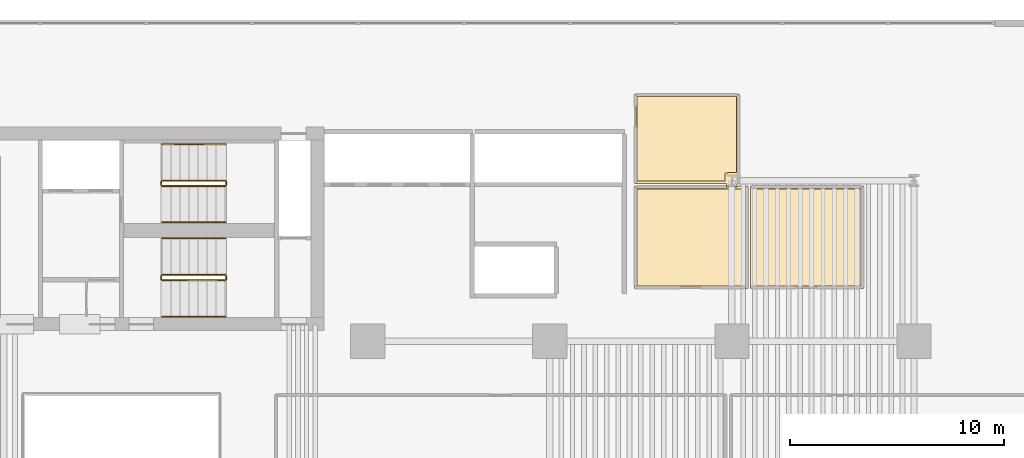
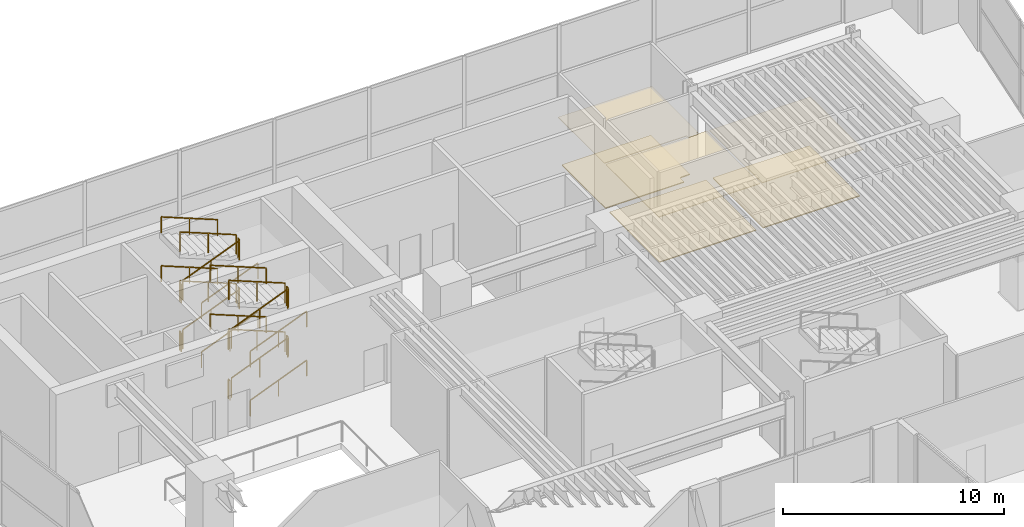
# One storey, part 16 of 16: 24 railings, 6 coverings.
"""IFC4 building model written with IfcOpenShell, lengths in metres."""

from ifc_helpers import new_model, si_unit, direction, frame, origin, origin_2d, place, context, subcontext, project, spatial, polyline, rectangle, outline, extrude, material, layer, layer_set, type_object, element, save


model = new_model("IFC4")

# Units and contexts
model_context = context("Model", 3, precision=1e-05, world=origin(), true_north=direction((0.0, 1.0)))
body_context = subcontext(model_context, "Body", "Model", "MODEL_VIEW")
ifc_project = project(units=[si_unit("LENGTHUNIT", "METRE"), si_unit("AREAUNIT", "SQUARE_METRE"), si_unit("VOLUMEUNIT", "CUBIC_METRE"), si_unit("PLANEANGLEUNIT", "RADIAN"), si_unit("MASSUNIT", "GRAM", prefix="KILO")], contexts=[model_context])

# Site, building, storey
site_placement = place(None, origin())
site = spatial("IfcSite", under=ifc_project, at=site_placement, CompositionType="ELEMENT")
building_placement = place(site_placement, origin())
building = spatial("IfcBuilding", under=site, at=building_placement, Name="Caeloran Harvest Quay", CompositionType="ELEMENT")
storey_placement = place(building_placement, frame((0.0, 0.0, 10.800048828125)))
storey = spatial("IfcBuildingStorey", under=building, at=storey_placement, Name="L03", CompositionType="ELEMENT", Elevation=10.800048828125)

# Coverings
ifc_material_1 = material(Name="Perforated Mineral-Fibre Acoustic Ceiling Tile", Category="ceiling")
ifc_layer_1 = layer(ifc_material_1, 0.0400390625, Name="Perforated Mineral-Fibre Acoustic Ceiling Tile")
ifc_layer_set_1 = layer_set([ifc_layer_1], Name="Perforated Mineral-Fibre Acoustic Ceiling Tile")
covering_type_1 = type_object("IfcCoveringType", Name="COV-CEILING-ACOUSTIC", PredefinedType="CEILING", material=ifc_layer_set_1)
covering_1_placement = place(storey_placement, frame((0.0, 0.0, 2.599853515625)))
element("IfcCovering", 1, at=covering_1_placement, inside=storey, type_object=covering_type_1, Name="L03 Public Male Washroom WC Acoustic Ceiling", PredefinedType="CEILING", context=body_context, shape_type="SweptSolid", body=[
    extrude(outline(polyline([(43.239990234375, 33.4599609375), (37.9599609375, 33.4599609375), (37.9599609375, 38.239990234375), (42.2529296875, 38.239990234375), (42.2529296875, 38.804443359375), (42.7470703125, 38.804443359375), (42.7470703125, 38.239990234375), (43.239990234375, 38.239990234375), (43.239990234375, 33.4599609375)])), origin(), (0.0, 0.0, 1.0), 0.0400390625),
])
covering_2_placement = place(storey_placement, frame((0.0, 0.0, 2.599853515625)))
element("IfcCovering", 2, at=covering_2_placement, inside=storey, type_object=covering_type_1, Name="L03 Public Female Washroom WC Acoustic Ceiling", PredefinedType="CEILING", context=body_context, shape_type="SweptSolid", body=[
    extrude(outline(polyline([(48.639892578125, 38.239990234375), (48.639892578125, 33.4599609375), (43.360107421875, 33.4599609375), (43.360107421875, 38.239990234375), (48.639892578125, 38.239990234375)])), origin(), (0.0, 0.0, 1.0), 0.0400390625),
])
covering_3_placement = place(storey_placement, frame((0.0, 0.0, 2.599853515625)))
element("IfcCovering", 3, at=covering_3_placement, inside=storey, type_object=covering_type_1, Name="L03 Accessible Unisex Washroom WC Acoustic Ceiling", PredefinedType="CEILING", context=body_context, shape_type="SweptSolid", body=[
    extrude(outline(polyline([(42.7470703125, 38.195556640625), (42.2529296875, 38.195556640625), (42.2529296875, 38.360107421875), (37.9599609375, 38.360107421875), (37.9599609375, 42.5400390625), (42.840087890625, 42.5400390625), (42.840087890625, 38.360107421875), (42.7470703125, 38.360107421875), (42.7470703125, 38.195556640625)])), origin(), (0.0, 0.0, 1.0), 0.0400390625),
])
ifc_material_2 = material(Name="Calcium-Sulphate Raised Access Floor and Terrazzo Finish", Category="flooring")
ifc_layer_2 = layer(ifc_material_2, 0.050048828125, Name="Calcium-Sulphate Raised Access Floor and Terrazzo Finish")
ifc_layer_set_2 = layer_set([ifc_layer_2], Name="Calcium-Sulphate Raised Access Floor and Terrazzo Finish")
covering_type_2 = type_object("IfcCoveringType", Name="COV-FLOOR-RAISED", PredefinedType="FLOORING", material=ifc_layer_set_2)
covering_4_placement = place(storey_placement, origin())
element("IfcCovering", 4, at=covering_4_placement, inside=storey, type_object=covering_type_2, Name="L03 Public Male Washroom WC Raised Finish Flooring", PredefinedType="FLOORING", context=body_context, shape_type="SweptSolid", body=[
    extrude(outline(polyline([(43.1201171875, 38.1201171875), (43.1201171875, 33.580078125), (38.080078125, 33.580078125), (38.080078125, 38.1201171875), (43.1201171875, 38.1201171875)])), origin(), (0.0, 0.0, 1.0), 0.050048828125),
])
covering_5_placement = place(storey_placement, origin())
element("IfcCovering", 5, at=covering_5_placement, inside=storey, type_object=covering_type_2, Name="L03 Public Female Washroom WC Raised Finish Flooring", PredefinedType="FLOORING", context=body_context, shape_type="SweptSolid", body=[
    extrude(outline(polyline([(48.52001953125, 38.1201171875), (48.52001953125, 33.580078125), (43.47998046875, 33.580078125), (43.47998046875, 38.1201171875), (48.52001953125, 38.1201171875)])), origin(), (0.0, 0.0, 1.0), 0.050048828125),
])
covering_6_placement = place(storey_placement, origin())
element("IfcCovering", 6, at=covering_6_placement, inside=storey, type_object=covering_type_2, Name="L03 Accessible Unisex Washroom WC Raised Finish Flooring", PredefinedType="FLOORING", context=body_context, shape_type="SweptSolid", body=[
    extrude(outline(polyline([(42.719970703125, 38.87939453125), (42.213623046875, 38.865966796875), (42.178466796875, 38.807373046875), (42.177978515625, 38.47998046875), (38.080078125, 38.47998046875), (38.080078125, 42.419921875), (42.719970703125, 42.419921875), (42.719970703125, 38.87939453125)])), origin(), (0.0, 0.0, 1.0), 0.050048828125),
])

# Railings
ifc_material_3 = material(Name="Painted Steel Baluster and Top-Rail Stair Guard", Category="steel")
ifc_layer_3 = layer(ifc_material_3, 0.050048828125, Name="Painted Steel Baluster and Top-Rail Stair Guard")
ifc_layer_set_3 = layer_set([ifc_layer_3], Name="Painted Steel Baluster and Top-Rail Stair Guard")
railing_type_1 = type_object("IfcRailingType", Name="STAIR-GUARD-1100", PredefinedType="GUARDRAIL", material=ifc_layer_set_3)
railing_1_placement = place(storey_placement, frame((15.89990234375, 38.25, 0.168701171875)))
element("IfcRailing", 7, at=railing_1_placement, inside=storey, type_object=railing_type_1, Name="L03 ST-C1 stair guard 1", PredefinedType="GUARDRAIL", context=body_context, shape_type="SweptSolid", body=[
    extrude(rectangle(XDim=0.048095703125, YDim=0.048095703125, at=origin_2d()), frame((0.0, 0.0, 1.076171875), z_axis=(0.927923022591, 0.0, 0.372771866088), x_axis=(0.0, 1.0, 0.0)), (0.0, 0.0, 1.0), 3.16845703125),
    extrude(rectangle(XDim=0.0419921875, YDim=0.0419921875, at=origin_2d()), origin(), (0.0, 0.0, 1.0), 1.052001953125),
    extrude(rectangle(XDim=0.0419921875, YDim=0.0419921875, at=origin_2d()), frame((1.47021484375, 0.0, 0.590576171875)), (0.0, 0.0, 1.0), 1.052001953125),
    extrude(rectangle(XDim=0.0419921875, YDim=0.0419921875, at=origin_2d()), frame((2.940185546875, 0.0, 1.18115234375)), (0.0, 0.0, 1.0), 1.052001953125),
])
railing_2_placement = place(storey_placement, frame((18.889892578125, 38.300048828125, 1.349853515625)))
element("IfcRailing", 8, at=railing_2_placement, inside=storey, type_object=railing_type_1, Name="L03 ST-C1 stair guard 2", PredefinedType="GUARDRAIL", context=body_context, shape_type="SweptSolid", body=[
    extrude(rectangle(XDim=0.048095703125, YDim=0.048095703125, at=origin_2d()), frame((0.0, 0.0, 1.076171875), z_axis=(0.0, 1.0, 0.0), x_axis=(-1.0, 0.0, 0.0)), (0.0, 0.0, 1.0), 0.14990234375),
    extrude(rectangle(XDim=0.0419921875, YDim=0.0419921875, at=origin_2d()), origin(), (0.0, 0.0, 1.0), 1.052001953125),
    extrude(rectangle(XDim=0.0419921875, YDim=0.0419921875, at=origin_2d()), frame((0.0, 0.14990234375, 0.0)), (0.0, 0.0, 1.0), 1.052001953125),
])
railing_3_placement = place(storey_placement, frame((18.840087890625, 38.5, 1.518798828125)))
element("IfcRailing", 9, at=railing_3_placement, inside=storey, type_object=railing_type_1, Name="L03 ST-C1 stair guard 3", PredefinedType="GUARDRAIL", context=body_context, shape_type="SweptSolid", body=[
    extrude(rectangle(XDim=0.048095703125, YDim=0.048095703125, at=origin_2d()), frame((0.0, 0.0, 1.076171875), z_axis=(-0.927923022591, 0.0, 0.372771866088), x_axis=(0.0, -1.0, 0.0)), (0.0, 0.0, 1.0), 3.16845703125),
    extrude(rectangle(XDim=0.0419921875, YDim=0.0419921875, at=origin_2d()), origin(), (0.0, 0.0, 1.0), 1.052001953125),
    extrude(rectangle(XDim=0.0419921875, YDim=0.0419921875, at=origin_2d()), frame((-1.47021484375, 0.0, 0.590576171875)), (0.0, 0.0, 1.0), 1.052001953125),
    extrude(rectangle(XDim=0.0419921875, YDim=0.0419921875, at=origin_2d()), frame((-2.940185546875, 0.0, 1.18115234375)), (0.0, 0.0, 1.0), 1.052001953125),
])
railing_4_placement = place(storey_placement, frame((15.85009765625, 38.300048828125, 2.699951171875)))
element("IfcRailing", 10, at=railing_4_placement, inside=storey, type_object=railing_type_1, Name="L03 ST-C1 stair guard 4", PredefinedType="GUARDRAIL", context=body_context, shape_type="SweptSolid", body=[
    extrude(rectangle(XDim=0.048095703125, YDim=0.048095703125, at=origin_2d()), frame((0.0, 0.0, 1.076171875), z_axis=(0.0, 1.0, 0.0), x_axis=(-1.0, 0.0, 0.0)), (0.0, 0.0, 1.0), 0.14990234375),
    extrude(rectangle(XDim=0.0419921875, YDim=0.0419921875, at=origin_2d()), origin(), (0.0, 0.0, 1.0), 1.052001953125),
    extrude(rectangle(XDim=0.0419921875, YDim=0.0419921875, at=origin_2d()), frame((0.0, 0.14990234375, 0.0)), (0.0, 0.0, 1.0), 1.052001953125),
])
railing_5_placement = place(storey_placement, frame((15.89990234375, 38.25, 2.86865234375)))
element("IfcRailing", 11, at=railing_5_placement, inside=storey, type_object=railing_type_1, Name="L03 ST-C1 stair guard 5", PredefinedType="GUARDRAIL", context=body_context, shape_type="SweptSolid", body=[
    extrude(rectangle(XDim=0.048095703125, YDim=0.048095703125, at=origin_2d()), frame((0.0, 0.0, 1.076171875), z_axis=(0.927896368829, 0.0, 0.372838207155), x_axis=(0.0, 1.0, 0.0)), (0.0, 0.0, 1.0), 3.168701171875),
    extrude(rectangle(XDim=0.0419921875, YDim=0.0419921875, at=origin_2d()), origin(), (0.0, 0.0, 1.0), 1.052001953125),
    extrude(rectangle(XDim=0.0419921875, YDim=0.0419921875, at=origin_2d()), frame((1.47021484375, 0.0, 0.5908203125)), (0.0, 0.0, 1.0), 1.052001953125),
    extrude(rectangle(XDim=0.0419921875, YDim=0.0419921875, at=origin_2d()), frame((2.940185546875, 0.0, 1.181396484375)), (0.0, 0.0, 1.0), 1.052001953125),
])
railing_6_placement = place(storey_placement, frame((18.889892578125, 38.300048828125, 4.050048828125)))
element("IfcRailing", 12, at=railing_6_placement, inside=storey, type_object=railing_type_1, Name="L03 ST-C1 stair guard 6", PredefinedType="GUARDRAIL", context=body_context, shape_type="SweptSolid", body=[
    extrude(rectangle(XDim=0.048095703125, YDim=0.048095703125, at=origin_2d()), frame((0.0, 0.0, 1.076171875), z_axis=(0.0, 1.0, 0.0), x_axis=(-1.0, 0.0, 0.0)), (0.0, 0.0, 1.0), 0.14990234375),
    extrude(rectangle(XDim=0.0419921875, YDim=0.0419921875, at=origin_2d()), origin(), (0.0, 0.0, 1.0), 1.052001953125),
    extrude(rectangle(XDim=0.0419921875, YDim=0.0419921875, at=origin_2d()), frame((0.0, 0.14990234375, 0.0)), (0.0, 0.0, 1.0), 1.052001953125),
])
railing_7_placement = place(storey_placement, frame((18.840087890625, 38.5, 4.21875)))
element("IfcRailing", 13, at=railing_7_placement, inside=storey, type_object=railing_type_1, Name="L03 ST-C1 stair guard 7", PredefinedType="GUARDRAIL", context=body_context, shape_type="SweptSolid", body=[
    extrude(rectangle(XDim=0.048095703125, YDim=0.048095703125, at=origin_2d()), frame((0.0, 0.0, 1.076171875), z_axis=(-0.927923022591, 0.0, 0.372771866088), x_axis=(0.0, -1.0, 0.0)), (0.0, 0.0, 1.0), 3.16845703125),
    extrude(rectangle(XDim=0.0419921875, YDim=0.0419921875, at=origin_2d()), origin(), (0.0, 0.0, 1.0), 1.052001953125),
    extrude(rectangle(XDim=0.0419921875, YDim=0.0419921875, at=origin_2d()), frame((-1.47021484375, 0.0, 0.590576171875)), (0.0, 0.0, 1.0), 1.052001953125),
    extrude(rectangle(XDim=0.0419921875, YDim=0.0419921875, at=origin_2d()), frame((-2.940185546875, 0.0, 1.18115234375)), (0.0, 0.0, 1.0), 1.052001953125),
])
railing_8_placement = place(storey_placement, frame((15.85009765625, 38.300048828125, 0.0)))
element("IfcRailing", 14, at=railing_8_placement, inside=storey, type_object=railing_type_1, Name="L03 ST-C1 stair guard 8", PredefinedType="GUARDRAIL", context=body_context, shape_type="SweptSolid", body=[
    extrude(rectangle(XDim=0.048095703125, YDim=0.048095703125, at=origin_2d()), frame((0.0, 0.0, 1.076171875), z_axis=(0.0, 1.0, 0.0), x_axis=(-1.0, 0.0, 0.0)), (0.0, 0.0, 1.0), 0.14990234375),
    extrude(rectangle(XDim=0.0419921875, YDim=0.0419921875, at=origin_2d()), origin(), (0.0, 0.0, 1.0), 1.052001953125),
    extrude(rectangle(XDim=0.0419921875, YDim=0.0419921875, at=origin_2d()), frame((0.0, 0.14990234375, 0.0)), (0.0, 0.0, 1.0), 1.052001953125),
])
railing_9_placement = place(storey_placement, frame((15.89990234375, 33.85009765625, 0.168701171875)))
element("IfcRailing", 15, at=railing_9_placement, inside=storey, type_object=railing_type_1, Name="L03 ST-C2 stair guard 1", PredefinedType="GUARDRAIL", context=body_context, shape_type="SweptSolid", body=[
    extrude(rectangle(XDim=0.048095703125, YDim=0.048095703125, at=origin_2d()), frame((0.0, 0.0, 1.076171875), z_axis=(0.927923022591, 0.0, 0.372771866088), x_axis=(0.0, 1.0, 0.0)), (0.0, 0.0, 1.0), 3.16845703125),
    extrude(rectangle(XDim=0.0419921875, YDim=0.0419921875, at=origin_2d()), origin(), (0.0, 0.0, 1.0), 1.052001953125),
    extrude(rectangle(XDim=0.0419921875, YDim=0.0419921875, at=origin_2d()), frame((1.47021484375, 0.0, 0.590576171875)), (0.0, 0.0, 1.0), 1.052001953125),
    extrude(rectangle(XDim=0.0419921875, YDim=0.0419921875, at=origin_2d()), frame((2.940185546875, 0.0, 1.18115234375)), (0.0, 0.0, 1.0), 1.052001953125),
])
railing_10_placement = place(storey_placement, frame((18.889892578125, 33.89990234375, 1.349853515625)))
element("IfcRailing", 16, at=railing_10_placement, inside=storey, type_object=railing_type_1, Name="L03 ST-C2 stair guard 2", PredefinedType="GUARDRAIL", context=body_context, shape_type="SweptSolid", body=[
    extrude(rectangle(XDim=0.048095703125, YDim=0.048095703125, at=origin_2d()), frame((0.0, 0.0, 1.076171875), z_axis=(0.0, 1.0, 0.0), x_axis=(-1.0, 0.0, 0.0)), (0.0, 0.0, 1.0), 0.150146484375),
    extrude(rectangle(XDim=0.0419921875, YDim=0.0419921875, at=origin_2d()), origin(), (0.0, 0.0, 1.0), 1.052001953125),
    extrude(rectangle(XDim=0.0419921875, YDim=0.0419921875, at=origin_2d()), frame((0.0, 0.150146484375, 0.0)), (0.0, 0.0, 1.0), 1.052001953125),
])
railing_11_placement = place(storey_placement, frame((18.840087890625, 34.10009765625, 1.518798828125)))
element("IfcRailing", 17, at=railing_11_placement, inside=storey, type_object=railing_type_1, Name="L03 ST-C2 stair guard 3", PredefinedType="GUARDRAIL", context=body_context, shape_type="SweptSolid", body=[
    extrude(rectangle(XDim=0.048095703125, YDim=0.048095703125, at=origin_2d()), frame((0.0, 0.0, 1.076171875), z_axis=(-0.927923022591, 0.0, 0.372771866088), x_axis=(0.0, -1.0, 0.0)), (0.0, 0.0, 1.0), 3.16845703125),
    extrude(rectangle(XDim=0.0419921875, YDim=0.0419921875, at=origin_2d()), origin(), (0.0, 0.0, 1.0), 1.052001953125),
    extrude(rectangle(XDim=0.0419921875, YDim=0.0419921875, at=origin_2d()), frame((-1.47021484375, 0.0, 0.590576171875)), (0.0, 0.0, 1.0), 1.052001953125),
    extrude(rectangle(XDim=0.0419921875, YDim=0.0419921875, at=origin_2d()), frame((-2.940185546875, 0.0, 1.18115234375)), (0.0, 0.0, 1.0), 1.052001953125),
])
railing_12_placement = place(storey_placement, frame((15.85009765625, 33.89990234375, 2.699951171875)))
element("IfcRailing", 18, at=railing_12_placement, inside=storey, type_object=railing_type_1, Name="L03 ST-C2 stair guard 4", PredefinedType="GUARDRAIL", context=body_context, shape_type="SweptSolid", body=[
    extrude(rectangle(XDim=0.048095703125, YDim=0.048095703125, at=origin_2d()), frame((0.0, 0.0, 1.076171875), z_axis=(0.0, 1.0, 0.0), x_axis=(-1.0, 0.0, 0.0)), (0.0, 0.0, 1.0), 0.150146484375),
    extrude(rectangle(XDim=0.0419921875, YDim=0.0419921875, at=origin_2d()), origin(), (0.0, 0.0, 1.0), 1.052001953125),
    extrude(rectangle(XDim=0.0419921875, YDim=0.0419921875, at=origin_2d()), frame((0.0, 0.150146484375, 0.0)), (0.0, 0.0, 1.0), 1.052001953125),
])
railing_13_placement = place(storey_placement, frame((15.89990234375, 33.85009765625, 2.86865234375)))
element("IfcRailing", 19, at=railing_13_placement, inside=storey, type_object=railing_type_1, Name="L03 ST-C2 stair guard 5", PredefinedType="GUARDRAIL", context=body_context, shape_type="SweptSolid", body=[
    extrude(rectangle(XDim=0.048095703125, YDim=0.048095703125, at=origin_2d()), frame((0.0, 0.0, 1.076171875), z_axis=(0.927896368829, 0.0, 0.372838207155), x_axis=(0.0, 1.0, 0.0)), (0.0, 0.0, 1.0), 3.168701171875),
    extrude(rectangle(XDim=0.0419921875, YDim=0.0419921875, at=origin_2d()), origin(), (0.0, 0.0, 1.0), 1.052001953125),
    extrude(rectangle(XDim=0.0419921875, YDim=0.0419921875, at=origin_2d()), frame((1.47021484375, 0.0, 0.5908203125)), (0.0, 0.0, 1.0), 1.052001953125),
    extrude(rectangle(XDim=0.0419921875, YDim=0.0419921875, at=origin_2d()), frame((2.940185546875, 0.0, 1.181396484375)), (0.0, 0.0, 1.0), 1.052001953125),
])
railing_14_placement = place(storey_placement, frame((18.889892578125, 33.89990234375, 4.050048828125)))
element("IfcRailing", 20, at=railing_14_placement, inside=storey, type_object=railing_type_1, Name="L03 ST-C2 stair guard 6", PredefinedType="GUARDRAIL", context=body_context, shape_type="SweptSolid", body=[
    extrude(rectangle(XDim=0.048095703125, YDim=0.048095703125, at=origin_2d()), frame((0.0, 0.0, 1.076171875), z_axis=(0.0, 1.0, 0.0), x_axis=(-1.0, 0.0, 0.0)), (0.0, 0.0, 1.0), 0.150146484375),
    extrude(rectangle(XDim=0.0419921875, YDim=0.0419921875, at=origin_2d()), origin(), (0.0, 0.0, 1.0), 1.052001953125),
    extrude(rectangle(XDim=0.0419921875, YDim=0.0419921875, at=origin_2d()), frame((0.0, 0.150146484375, 0.0)), (0.0, 0.0, 1.0), 1.052001953125),
])
railing_15_placement = place(storey_placement, frame((18.840087890625, 34.10009765625, 4.21875)))
element("IfcRailing", 21, at=railing_15_placement, inside=storey, type_object=railing_type_1, Name="L03 ST-C2 stair guard 7", PredefinedType="GUARDRAIL", context=body_context, shape_type="SweptSolid", body=[
    extrude(rectangle(XDim=0.048095703125, YDim=0.048095703125, at=origin_2d()), frame((0.0, 0.0, 1.076171875), z_axis=(-0.927923022591, 0.0, 0.372771866088), x_axis=(0.0, -1.0, 0.0)), (0.0, 0.0, 1.0), 3.16845703125),
    extrude(rectangle(XDim=0.0419921875, YDim=0.0419921875, at=origin_2d()), origin(), (0.0, 0.0, 1.0), 1.052001953125),
    extrude(rectangle(XDim=0.0419921875, YDim=0.0419921875, at=origin_2d()), frame((-1.47021484375, 0.0, 0.590576171875)), (0.0, 0.0, 1.0), 1.052001953125),
    extrude(rectangle(XDim=0.0419921875, YDim=0.0419921875, at=origin_2d()), frame((-2.940185546875, 0.0, 1.18115234375)), (0.0, 0.0, 1.0), 1.052001953125),
])
railing_16_placement = place(storey_placement, frame((15.85009765625, 33.89990234375, 0.0)))
element("IfcRailing", 22, at=railing_16_placement, inside=storey, type_object=railing_type_1, Name="L03 ST-C2 stair guard 8", PredefinedType="GUARDRAIL", context=body_context, shape_type="SweptSolid", body=[
    extrude(rectangle(XDim=0.048095703125, YDim=0.048095703125, at=origin_2d()), frame((0.0, 0.0, 1.076171875), z_axis=(0.0, 1.0, 0.0), x_axis=(-1.0, 0.0, 0.0)), (0.0, 0.0, 1.0), 0.150146484375),
    extrude(rectangle(XDim=0.0419921875, YDim=0.0419921875, at=origin_2d()), origin(), (0.0, 0.0, 1.0), 1.052001953125),
    extrude(rectangle(XDim=0.0419921875, YDim=0.0419921875, at=origin_2d()), frame((0.0, 0.150146484375, 0.0)), (0.0, 0.0, 1.0), 1.052001953125),
])
ifc_material_4 = material(Name="Brushed Stainless Steel Grade 304", Category="steel")
ifc_layer_4 = layer(ifc_material_4, 0.050048828125, Name="Brushed Stainless Steel Grade 304")
ifc_layer_set_4 = layer_set([ifc_layer_4], Name="Brushed Stainless Steel Grade 304")
railing_type_2 = type_object("IfcRailingType", Name="STAIR-HANDRAIL-900", PredefinedType="HANDRAIL", material=ifc_layer_set_4)
railing_17_placement = place(storey_placement, frame((15.89990234375, 36.550048828125, 0.168701171875)))
element("IfcRailing", 23, at=railing_17_placement, inside=storey, type_object=railing_type_2, Name="L03 ST-C1 stair handrail 1", PredefinedType="HANDRAIL", context=body_context, shape_type="SweptSolid", body=[
    extrude(rectangle(XDim=0.048095703125, YDim=0.048095703125, at=origin_2d()), frame((0.0, 0.0, 0.8759765625), z_axis=(0.927923022591, 0.0, 0.372771866088), x_axis=(0.0, 1.0, 0.0)), (0.0, 0.0, 1.0), 3.16845703125),
    extrude(rectangle(XDim=0.0419921875, YDim=0.0419921875, at=origin_2d()), origin(), (0.0, 0.0, 1.0), 0.851806640625),
    extrude(rectangle(XDim=0.0419921875, YDim=0.0419921875, at=origin_2d()), frame((1.47021484375, 0.0, 0.590576171875)), (0.0, 0.0, 1.0), 0.851806640625),
    extrude(rectangle(XDim=0.0419921875, YDim=0.0419921875, at=origin_2d()), frame((2.940185546875, 0.0, 1.18115234375)), (0.0, 0.0, 1.0), 0.851806640625),
])
railing_18_placement = place(storey_placement, frame((18.840087890625, 40.199951171875, 1.518798828125)))
element("IfcRailing", 24, at=railing_18_placement, inside=storey, type_object=railing_type_2, Name="L03 ST-C1 stair handrail 2", PredefinedType="HANDRAIL", context=body_context, shape_type="SweptSolid", body=[
    extrude(rectangle(XDim=0.048095703125, YDim=0.048095703125, at=origin_2d()), frame((0.0, 0.0, 0.8759765625), z_axis=(-0.927923022591, 0.0, 0.372771866088), x_axis=(0.0, -1.0, 0.0)), (0.0, 0.0, 1.0), 3.16845703125),
    extrude(rectangle(XDim=0.0419921875, YDim=0.0419921875, at=origin_2d()), origin(), (0.0, 0.0, 1.0), 0.851806640625),
    extrude(rectangle(XDim=0.0419921875, YDim=0.0419921875, at=origin_2d()), frame((-1.47021484375, 0.0, 0.590576171875)), (0.0, 0.0, 1.0), 0.851806640625),
    extrude(rectangle(XDim=0.0419921875, YDim=0.0419921875, at=origin_2d()), frame((-2.940185546875, 0.0, 1.18115234375)), (0.0, 0.0, 1.0), 0.851806640625),
])
railing_19_placement = place(storey_placement, frame((15.89990234375, 36.550048828125, 2.86865234375)))
element("IfcRailing", 25, at=railing_19_placement, inside=storey, type_object=railing_type_2, Name="L03 ST-C1 stair handrail 3", PredefinedType="HANDRAIL", context=body_context, shape_type="SweptSolid", body=[
    extrude(rectangle(XDim=0.048095703125, YDim=0.048095703125, at=origin_2d()), frame((0.0, 0.0, 0.8759765625), z_axis=(0.927896368829, 0.0, 0.372838207155), x_axis=(0.0, 1.0, 0.0)), (0.0, 0.0, 1.0), 3.168701171875),
    extrude(rectangle(XDim=0.0419921875, YDim=0.0419921875, at=origin_2d()), origin(), (0.0, 0.0, 1.0), 0.851806640625),
    extrude(rectangle(XDim=0.0419921875, YDim=0.0419921875, at=origin_2d()), frame((1.47021484375, 0.0, 0.5908203125)), (0.0, 0.0, 1.0), 0.851806640625),
    extrude(rectangle(XDim=0.0419921875, YDim=0.0419921875, at=origin_2d()), frame((2.940185546875, 0.0, 1.181396484375)), (0.0, 0.0, 1.0), 0.851806640625),
])
railing_20_placement = place(storey_placement, frame((18.840087890625, 40.199951171875, 4.21875)))
element("IfcRailing", 26, at=railing_20_placement, inside=storey, type_object=railing_type_2, Name="L03 ST-C1 stair handrail 4", PredefinedType="HANDRAIL", context=body_context, shape_type="SweptSolid", body=[
    extrude(rectangle(XDim=0.048095703125, YDim=0.048095703125, at=origin_2d()), frame((0.0, 0.0, 0.8759765625), z_axis=(-0.927923022591, 0.0, 0.372771866088), x_axis=(0.0, -1.0, 0.0)), (0.0, 0.0, 1.0), 3.16845703125),
    extrude(rectangle(XDim=0.0419921875, YDim=0.0419921875, at=origin_2d()), origin(), (0.0, 0.0, 1.0), 0.851806640625),
    extrude(rectangle(XDim=0.0419921875, YDim=0.0419921875, at=origin_2d()), frame((-1.47021484375, 0.0, 0.590576171875)), (0.0, 0.0, 1.0), 0.851806640625),
    extrude(rectangle(XDim=0.0419921875, YDim=0.0419921875, at=origin_2d()), frame((-2.940185546875, 0.0, 1.18115234375)), (0.0, 0.0, 1.0), 0.851806640625),
])
railing_21_placement = place(storey_placement, frame((15.89990234375, 32.14990234375, 0.168701171875)))
element("IfcRailing", 27, at=railing_21_placement, inside=storey, type_object=railing_type_2, Name="L03 ST-C2 stair handrail 1", PredefinedType="HANDRAIL", context=body_context, shape_type="SweptSolid", body=[
    extrude(rectangle(XDim=0.048095703125, YDim=0.048095703125, at=origin_2d()), frame((0.0, 0.0, 0.8759765625), z_axis=(0.927923022591, 0.0, 0.372771866088), x_axis=(0.0, 1.0, 0.0)), (0.0, 0.0, 1.0), 3.16845703125),
    extrude(rectangle(XDim=0.0419921875, YDim=0.0419921875, at=origin_2d()), origin(), (0.0, 0.0, 1.0), 0.851806640625),
    extrude(rectangle(XDim=0.0419921875, YDim=0.0419921875, at=origin_2d()), frame((1.47021484375, 0.0, 0.590576171875)), (0.0, 0.0, 1.0), 0.851806640625),
    extrude(rectangle(XDim=0.0419921875, YDim=0.0419921875, at=origin_2d()), frame((2.940185546875, 0.0, 1.18115234375)), (0.0, 0.0, 1.0), 0.851806640625),
])
railing_22_placement = place(storey_placement, frame((18.840087890625, 35.800048828125, 1.518798828125)))
element("IfcRailing", 28, at=railing_22_placement, inside=storey, type_object=railing_type_2, Name="L03 ST-C2 stair handrail 2", PredefinedType="HANDRAIL", context=body_context, shape_type="SweptSolid", body=[
    extrude(rectangle(XDim=0.048095703125, YDim=0.048095703125, at=origin_2d()), frame((0.0, 0.0, 0.8759765625), z_axis=(-0.927923022591, 0.0, 0.372771866088), x_axis=(0.0, -1.0, 0.0)), (0.0, 0.0, 1.0), 3.16845703125),
    extrude(rectangle(XDim=0.0419921875, YDim=0.0419921875, at=origin_2d()), origin(), (0.0, 0.0, 1.0), 0.851806640625),
    extrude(rectangle(XDim=0.0419921875, YDim=0.0419921875, at=origin_2d()), frame((-1.47021484375, 0.0, 0.590576171875)), (0.0, 0.0, 1.0), 0.851806640625),
    extrude(rectangle(XDim=0.0419921875, YDim=0.0419921875, at=origin_2d()), frame((-2.940185546875, 0.0, 1.18115234375)), (0.0, 0.0, 1.0), 0.851806640625),
])
railing_23_placement = place(storey_placement, frame((15.89990234375, 32.14990234375, 2.86865234375)))
element("IfcRailing", 29, at=railing_23_placement, inside=storey, type_object=railing_type_2, Name="L03 ST-C2 stair handrail 3", PredefinedType="HANDRAIL", context=body_context, shape_type="SweptSolid", body=[
    extrude(rectangle(XDim=0.048095703125, YDim=0.048095703125, at=origin_2d()), frame((0.0, 0.0, 0.8759765625), z_axis=(0.927896368829, 0.0, 0.372838207155), x_axis=(0.0, 1.0, 0.0)), (0.0, 0.0, 1.0), 3.168701171875),
    extrude(rectangle(XDim=0.0419921875, YDim=0.0419921875, at=origin_2d()), origin(), (0.0, 0.0, 1.0), 0.851806640625),
    extrude(rectangle(XDim=0.0419921875, YDim=0.0419921875, at=origin_2d()), frame((1.47021484375, 0.0, 0.5908203125)), (0.0, 0.0, 1.0), 0.851806640625),
    extrude(rectangle(XDim=0.0419921875, YDim=0.0419921875, at=origin_2d()), frame((2.940185546875, 0.0, 1.181396484375)), (0.0, 0.0, 1.0), 0.851806640625),
])
railing_24_placement = place(storey_placement, frame((18.840087890625, 35.800048828125, 4.21875)))
element("IfcRailing", 30, at=railing_24_placement, inside=storey, type_object=railing_type_2, Name="L03 ST-C2 stair handrail 4", PredefinedType="HANDRAIL", context=body_context, shape_type="SweptSolid", body=[
    extrude(rectangle(XDim=0.048095703125, YDim=0.048095703125, at=origin_2d()), frame((0.0, 0.0, 0.8759765625), z_axis=(-0.927923022591, 0.0, 0.372771866088), x_axis=(0.0, -1.0, 0.0)), (0.0, 0.0, 1.0), 3.16845703125),
    extrude(rectangle(XDim=0.0419921875, YDim=0.0419921875, at=origin_2d()), origin(), (0.0, 0.0, 1.0), 0.851806640625),
    extrude(rectangle(XDim=0.0419921875, YDim=0.0419921875, at=origin_2d()), frame((-1.47021484375, 0.0, 0.590576171875)), (0.0, 0.0, 1.0), 0.851806640625),
    extrude(rectangle(XDim=0.0419921875, YDim=0.0419921875, at=origin_2d()), frame((-2.940185546875, 0.0, 1.18115234375)), (0.0, 0.0, 1.0), 0.851806640625),
])

save(model, "model.ifc")
